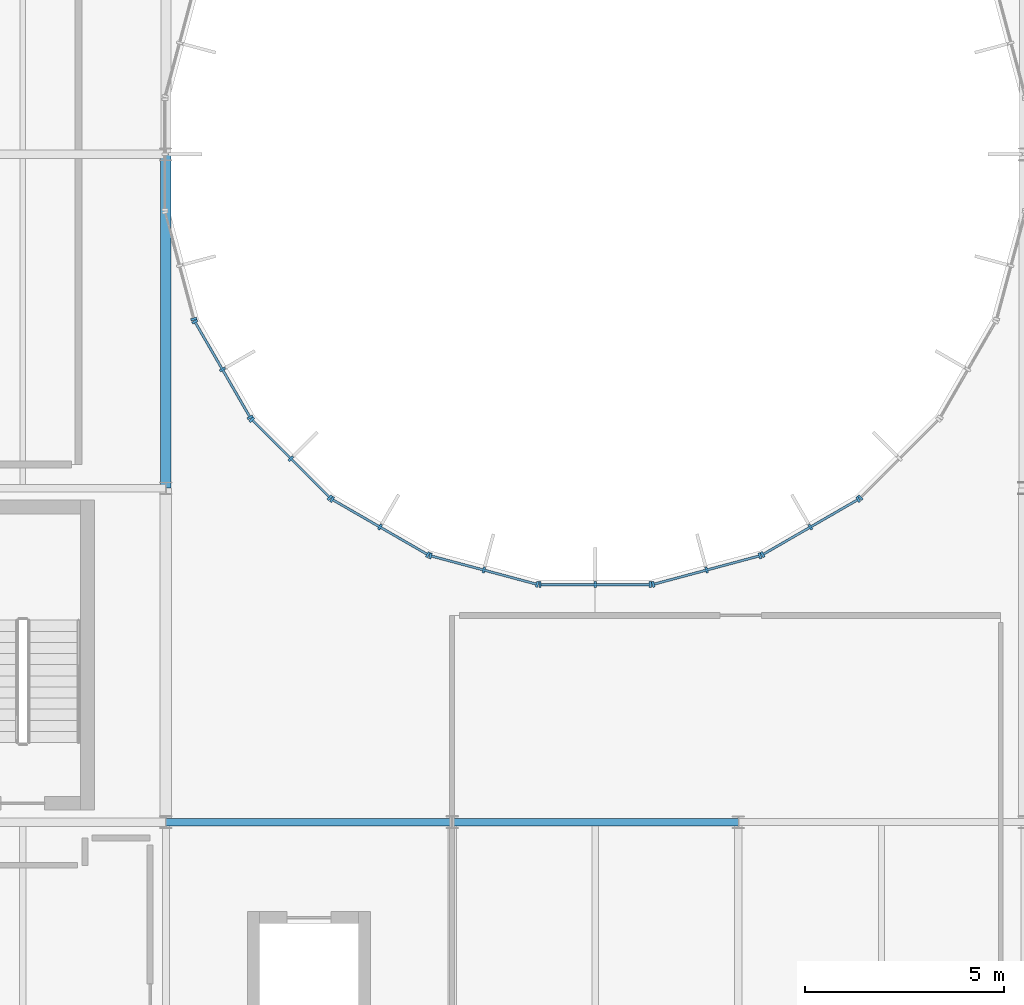
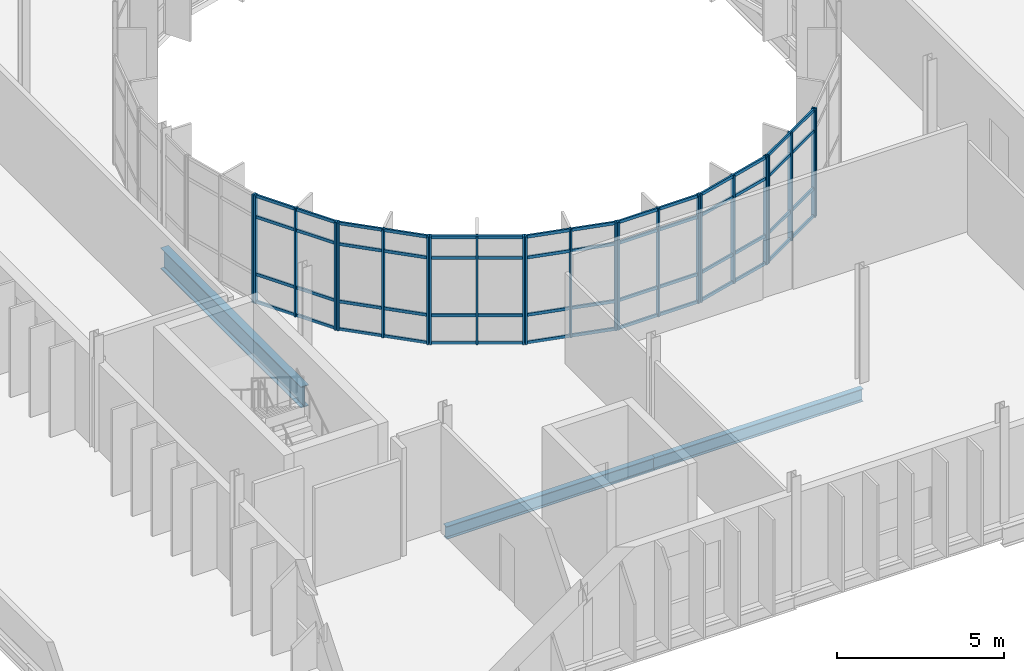
# One storey, part 14 of 52: 51 members, 3 beams, 9 elements without a shape of their own.
"""IFC4 building model written with IfcOpenShell, lengths in metres."""

from ifc_helpers import new_model, si_unit, direction, frame, origin, origin_2d, place, context, subcontext, project, spatial, rectangle, i_section, extrude, material, material_profile, profile_set, type_object, element, aggregate, save


model = new_model("IFC4")

# Units and contexts
model_context = context("Model", 3, precision=1e-05, world=origin(), true_north=direction((0.0, 1.0)))
body_context = subcontext(model_context, "Body", "Model", "MODEL_VIEW")
ifc_project = project(units=[si_unit("LENGTHUNIT", "METRE"), si_unit("AREAUNIT", "SQUARE_METRE"), si_unit("VOLUMEUNIT", "CUBIC_METRE"), si_unit("PLANEANGLEUNIT", "RADIAN"), si_unit("MASSUNIT", "GRAM", prefix="KILO")], contexts=[model_context])

# Site, building, storey
site_placement = place(None, origin())
site = spatial("IfcSite", under=ifc_project, at=site_placement, CompositionType="ELEMENT")
building_placement = place(site_placement, origin())
building = spatial("IfcBuilding", under=site, at=building_placement, Name="Qelthora Terrace Specialist Clinic", CompositionType="ELEMENT")
storey_placement = place(building_placement, frame((0.0, 0.0, 17.39990234375)))
storey = spatial("IfcBuildingStorey", under=building, at=storey_placement, Name="L04", CompositionType="ELEMENT", Elevation=17.39990234375)

# Beams
ifc_material_1 = material(Name="Steel S355", Category="steel")
ifc_material_profile_1 = material_profile(ifc_material_1, i_section(OverallWidth=0.19091796875, OverallDepth=0.4599609375, WebThickness=0.010009765625, FlangeThickness=0.01611328125, FilletRadius=0.012939453125, at=origin_2d()), Name="W460X82")
ifc_profile_set_1 = profile_set([ifc_material_profile_1], Name="Steel S355")
beam_type_1 = type_object("IfcBeamType", Name="BM-W460X82", PredefinedType="BEAM", material=ifc_profile_set_1)
beam_1_placement = place(storey_placement, frame((21.60009765625, 67.199951171875, -0.47998046875), z_axis=(1.0, 0.0, 0.0), x_axis=(0.0, 1.0, 0.0)))
element("IfcBeam", 1, at=beam_1_placement, inside=storey, type_object=beam_type_1, Name="Girder BMX-L04-1156", PredefinedType="BEAM", context=body_context, shape_type="SweptSolid", body=[
    extrude(i_section(OverallWidth=0.19091796875, OverallDepth=0.4599609375, WebThickness=0.010009765625, FlangeThickness=0.01611328125, FilletRadius=0.012939453125, at=origin_2d()), origin(), (0.0, 0.0, 1.0), 7.199951171875),
])
ifc_material_profile_2 = material_profile(ifc_material_1, i_section(OverallWidth=0.193115234375, OverallDepth=0.466064453125, WebThickness=0.011474609375, FlangeThickness=0.01904296875, FilletRadius=0.012939453125, at=origin_2d()), Name="W460X97")
ifc_profile_set_2 = profile_set([ifc_material_profile_2], Name="Steel S355")
beam_type_2 = type_object("IfcBeamType", Name="BM-W460X97", PredefinedType="BEAM", material=ifc_profile_set_2)
beam_2_placement = place(storey_placement, frame((14.39990234375, 67.199951171875, -0.48291015625), z_axis=(1.0, 0.0, 0.0), x_axis=(0.0, 1.0, 0.0)))
element("IfcBeam", 2, at=beam_2_placement, inside=storey, type_object=beam_type_2, Name="Girder BMX-L04-1155", PredefinedType="BEAM", context=body_context, shape_type="SweptSolid", body=[
    extrude(i_section(OverallWidth=0.193115234375, OverallDepth=0.466064453125, WebThickness=0.011474609375, FlangeThickness=0.01904296875, FilletRadius=0.012939453125, at=origin_2d()), origin(), (0.0, 0.0, 1.0), 7.2001953125),
])
ifc_material_profile_3 = material_profile(ifc_material_1, i_section(OverallWidth=0.26806640625, OverallDepth=0.77001953125, WebThickness=0.015625, FlangeThickness=0.025390625, FilletRadius=0.01904296875, at=origin_2d()), Name="W760X196")
ifc_profile_set_3 = profile_set([ifc_material_profile_3], Name="Steel S355")
beam_type_3 = type_object("IfcBeamType", Name="BM-W760X196", PredefinedType="BEAM", material=ifc_profile_set_3)
beam_3_placement = place(storey_placement, frame((14.39990234375, 75.60009765625, -0.635009765625), z_axis=(0.0, 1.0, 0.0), x_axis=(-1.0, 0.0, 0.0)))
element("IfcBeam", 3, at=beam_3_placement, inside=storey, type_object=beam_type_3, Name="Girder BMY-L04-1222", PredefinedType="BEAM", context=body_context, shape_type="SweptSolid", body=[
    extrude(i_section(OverallWidth=0.26806640625, OverallDepth=0.77001953125, WebThickness=0.015625, FlangeThickness=0.025390625, FilletRadius=0.01904296875, at=origin_2d()), origin(), (0.0, 0.0, 1.0), 8.39990234375),
])

# Curtain wall, member
ifc_material_2 = material(Name="Aluminium anodized bronze", Category="aluminium")
curtain_wall_type = type_object("IfcCurtainWallType", Name="CW-CRTW-UPP", PredefinedType="NOTDEFINED", material=ifc_material_2)
curtain_wall_1_placement = place(storey_placement, origin())
curtain_wall_1 = element("IfcCurtainWall", 4, at=curtain_wall_1_placement, inside=storey, type_object=curtain_wall_type, Name="Curtain wall CW-CW-L04-13", PredefinedType="NOTDEFINED")
ifc_material_profile_4 = material_profile(ifc_material_2, rectangle(XDim=0.06005859375, YDim=0.14990234375, at=origin_2d()), Name="CWM60X150")
ifc_profile_set_4 = profile_set([ifc_material_profile_4], Name="Aluminium anodized bronze")
member_type_1 = type_object("IfcMemberType", Name="CWM-60X150", PredefinedType="MULLION", material=ifc_profile_set_4)
member_1_placement = place(storey_placement, frame((15.10107421875, 79.855224609375, 0.0), z_axis=(0.0, 0.0, 1.0), x_axis=(0.258820356987, -0.96592547477, 0.0)))
member_1 = element("IfcMember", 5, at=member_1_placement, type_object=member_type_1, Name="CW-CW-L04-13 mullion 3", PredefinedType="MULLION", context=body_context, shape_type="SweptSolid", body=[
    extrude(rectangle(XDim=0.06005859375, YDim=0.14990234375, at=origin_2d()), origin(), (0.0, 0.0, 1.0), 3.945068359375),
])
aggregate(curtain_wall_1, [member_1])

# Curtain wall, members
curtain_wall_2_placement = place(storey_placement, origin())
curtain_wall_2 = element("IfcCurtainWall", 6, at=curtain_wall_2_placement, inside=storey, type_object=curtain_wall_type, Name="Curtain wall CW-CW-L04-14", PredefinedType="NOTDEFINED")
member_2_placement = place(storey_placement, frame((15.128173828125, 79.789794921875, 0.0), z_axis=(0.0, 0.0, 1.0), x_axis=(0.499999597971, -0.866025635896, 0.0)))
member_2 = element("IfcMember", 7, at=member_2_placement, type_object=member_type_1, Name="CW-CW-L04-14 mullion 1", PredefinedType="MULLION", context=body_context, shape_type="SweptSolid", body=[
    extrude(rectangle(XDim=0.06005859375, YDim=0.14990234375, at=origin_2d()), origin(), (0.0, 0.0, 1.0), 3.945068359375),
])
member_3_placement = place(storey_placement, frame((15.822998046875, 78.586181640625, 0.0), z_axis=(0.0, 0.0, 1.0), x_axis=(0.499999597971, -0.866025635896, 0.0)))
member_3 = element("IfcMember", 8, at=member_3_placement, type_object=member_type_1, Name="CW-CW-L04-14 mullion 2", PredefinedType="MULLION", context=body_context, shape_type="SweptSolid", body=[
    extrude(rectangle(XDim=0.06005859375, YDim=0.14990234375, at=origin_2d()), origin(), (0.0, 0.0, 1.0), 3.945068359375),
])
member_4_placement = place(storey_placement, frame((16.517822265625, 77.3828125, 0.0), z_axis=(0.0, 0.0, 1.0), x_axis=(0.499999597971, -0.866025635896, 0.0)))
member_4 = element("IfcMember", 9, at=member_4_placement, type_object=member_type_1, Name="CW-CW-L04-14 mullion 3", PredefinedType="MULLION", context=body_context, shape_type="SweptSolid", body=[
    extrude(rectangle(XDim=0.06005859375, YDim=0.14990234375, at=origin_2d()), origin(), (0.0, 0.0, 1.0), 3.945068359375),
])

curtain_wall_3_placement = place(storey_placement, origin())
curtain_wall_3 = element("IfcCurtainWall", 10, at=curtain_wall_3_placement, inside=storey, type_object=curtain_wall_type, Name="Curtain wall CW-CW-L04-15", PredefinedType="NOTDEFINED")
member_5_placement = place(storey_placement, frame((16.56103515625, 77.326416015625, 0.0), z_axis=(0.0, 0.0, 1.0), x_axis=(0.707106781187, -0.707106781187, 0.0)))
member_5 = element("IfcMember", 11, at=member_5_placement, type_object=member_type_1, Name="CW-CW-L04-15 mullion 1", PredefinedType="MULLION", context=body_context, shape_type="SweptSolid", body=[
    extrude(rectangle(XDim=0.06005859375, YDim=0.14990234375, at=origin_2d()), origin(), (0.0, 0.0, 1.0), 3.945068359375),
])
member_6_placement = place(storey_placement, frame((17.543701171875, 76.34375, 0.0), z_axis=(0.0, 0.0, 1.0), x_axis=(0.707106781187, -0.707106781187, 0.0)))
member_6 = element("IfcMember", 12, at=member_6_placement, type_object=member_type_1, Name="CW-CW-L04-15 mullion 2", PredefinedType="MULLION", context=body_context, shape_type="SweptSolid", body=[
    extrude(rectangle(XDim=0.06005859375, YDim=0.14990234375, at=origin_2d()), origin(), (0.0, 0.0, 1.0), 3.945068359375),
])
member_7_placement = place(storey_placement, frame((18.5263671875, 75.361083984375, 0.0), z_axis=(0.0, 0.0, 1.0), x_axis=(0.707106781187, -0.707106781187, 0.0)))
member_7 = element("IfcMember", 13, at=member_7_placement, type_object=member_type_1, Name="CW-CW-L04-15 mullion 3", PredefinedType="MULLION", context=body_context, shape_type="SweptSolid", body=[
    extrude(rectangle(XDim=0.06005859375, YDim=0.14990234375, at=origin_2d()), origin(), (0.0, 0.0, 1.0), 3.945068359375),
])

curtain_wall_4_placement = place(storey_placement, origin())
curtain_wall_4 = element("IfcCurtainWall", 14, at=curtain_wall_4_placement, inside=storey, type_object=curtain_wall_type, Name="Curtain wall CW-CW-L04-16", PredefinedType="NOTDEFINED")
member_8_placement = place(storey_placement, frame((18.582763671875, 75.31787109375, 0.0), z_axis=(0.0, 0.0, 1.0), x_axis=(0.866025635896, -0.499999597971, 0.0)))
member_8 = element("IfcMember", 15, at=member_8_placement, type_object=member_type_1, Name="CW-CW-L04-16 mullion 1", PredefinedType="MULLION", context=body_context, shape_type="SweptSolid", body=[
    extrude(rectangle(XDim=0.06005859375, YDim=0.14990234375, at=origin_2d()), origin(), (0.0, 0.0, 1.0), 3.945068359375),
])
member_9_placement = place(storey_placement, frame((19.7861328125, 74.623046875, 0.0), z_axis=(0.0, 0.0, 1.0), x_axis=(0.866025635896, -0.499999597971, 0.0)))
member_9 = element("IfcMember", 16, at=member_9_placement, type_object=member_type_1, Name="CW-CW-L04-16 mullion 2", PredefinedType="MULLION", context=body_context, shape_type="SweptSolid", body=[
    extrude(rectangle(XDim=0.06005859375, YDim=0.14990234375, at=origin_2d()), origin(), (0.0, 0.0, 1.0), 3.945068359375),
])
member_10_placement = place(storey_placement, frame((20.98974609375, 73.92822265625, 0.0), z_axis=(0.0, 0.0, 1.0), x_axis=(0.866025635896, -0.499999597971, 0.0)))
member_10 = element("IfcMember", 17, at=member_10_placement, type_object=member_type_1, Name="CW-CW-L04-16 mullion 3", PredefinedType="MULLION", context=body_context, shape_type="SweptSolid", body=[
    extrude(rectangle(XDim=0.06005859375, YDim=0.14990234375, at=origin_2d()), origin(), (0.0, 0.0, 1.0), 3.945068359375),
])

curtain_wall_5_placement = place(storey_placement, origin())
curtain_wall_5 = element("IfcCurtainWall", 18, at=curtain_wall_5_placement, inside=storey, type_object=curtain_wall_type, Name="Curtain wall CW-CW-L04-17", PredefinedType="NOTDEFINED")
member_11_placement = place(storey_placement, frame((21.05517578125, 73.901123046875, 0.0), z_axis=(0.0, 0.0, 1.0), x_axis=(0.96592547477, -0.258820356987, 0.0)))
member_11 = element("IfcMember", 19, at=member_11_placement, type_object=member_type_1, Name="CW-CW-L04-17 mullion 1", PredefinedType="MULLION", context=body_context, shape_type="SweptSolid", body=[
    extrude(rectangle(XDim=0.06005859375, YDim=0.14990234375, at=origin_2d()), origin(), (0.0, 0.0, 1.0), 3.945068359375),
])
member_12_placement = place(storey_placement, frame((22.397705078125, 73.541259765625, 0.0), z_axis=(0.0, 0.0, 1.0), x_axis=(0.96592547477, -0.258820356987, 0.0)))
member_12 = element("IfcMember", 20, at=member_12_placement, type_object=member_type_1, Name="CW-CW-L04-17 mullion 2", PredefinedType="MULLION", context=body_context, shape_type="SweptSolid", body=[
    extrude(rectangle(XDim=0.06005859375, YDim=0.14990234375, at=origin_2d()), origin(), (0.0, 0.0, 1.0), 3.945068359375),
])
member_13_placement = place(storey_placement, frame((23.739990234375, 73.181640625, 0.0), z_axis=(0.0, 0.0, 1.0), x_axis=(0.96592547477, -0.258820356987, 0.0)))
member_13 = element("IfcMember", 21, at=member_13_placement, type_object=member_type_1, Name="CW-CW-L04-17 mullion 3", PredefinedType="MULLION", context=body_context, shape_type="SweptSolid", body=[
    extrude(rectangle(XDim=0.06005859375, YDim=0.14990234375, at=origin_2d()), origin(), (0.0, 0.0, 1.0), 3.945068359375),
])

curtain_wall_6_placement = place(storey_placement, origin())
curtain_wall_6 = element("IfcCurtainWall", 22, at=curtain_wall_6_placement, inside=storey, type_object=curtain_wall_type, Name="Curtain wall CW-CW-L04-18", PredefinedType="NOTDEFINED")
member_14_placement = place(storey_placement, frame((23.810302734375, 73.17236328125, 0.0), z_axis=(0.0, 0.0, 1.0), x_axis=(1.0, 0.0, 0.0)))
member_14 = element("IfcMember", 23, at=member_14_placement, type_object=member_type_1, Name="CW-CW-L04-18 mullion 1", PredefinedType="MULLION", context=body_context, shape_type="SweptSolid", body=[
    extrude(rectangle(XDim=0.06005859375, YDim=0.14990234375, at=origin_2d()), origin(), (0.0, 0.0, 1.0), 3.945068359375),
])
member_15_placement = place(storey_placement, frame((25.199951171875, 73.17236328125, 0.0), z_axis=(0.0, 0.0, 1.0), x_axis=(1.0, 0.0, 0.0)))
member_15 = element("IfcMember", 24, at=member_15_placement, type_object=member_type_1, Name="CW-CW-L04-18 mullion 2", PredefinedType="MULLION", context=body_context, shape_type="SweptSolid", body=[
    extrude(rectangle(XDim=0.06005859375, YDim=0.14990234375, at=origin_2d()), origin(), (0.0, 0.0, 1.0), 3.945068359375),
])
member_16_placement = place(storey_placement, frame((26.589599609375, 73.17236328125, 0.0), z_axis=(0.0, 0.0, 1.0), x_axis=(1.0, 0.0, 0.0)))
member_16 = element("IfcMember", 25, at=member_16_placement, type_object=member_type_1, Name="CW-CW-L04-18 mullion 3", PredefinedType="MULLION", context=body_context, shape_type="SweptSolid", body=[
    extrude(rectangle(XDim=0.06005859375, YDim=0.14990234375, at=origin_2d()), origin(), (0.0, 0.0, 1.0), 3.945068359375),
])

curtain_wall_7_placement = place(storey_placement, origin())
curtain_wall_7 = element("IfcCurtainWall", 26, at=curtain_wall_7_placement, inside=storey, type_object=curtain_wall_type, Name="Curtain wall CW-CW-L04-19", PredefinedType="NOTDEFINED")
member_17_placement = place(storey_placement, frame((26.66015625, 73.181640625, 0.0), z_axis=(0.0, 0.0, 1.0), x_axis=(0.96592547477, 0.258820356987, 0.0)))
member_17 = element("IfcMember", 27, at=member_17_placement, type_object=member_type_1, Name="CW-CW-L04-19 mullion 1", PredefinedType="MULLION", context=body_context, shape_type="SweptSolid", body=[
    extrude(rectangle(XDim=0.06005859375, YDim=0.14990234375, at=origin_2d()), origin(), (0.0, 0.0, 1.0), 3.945068359375),
])
member_18_placement = place(storey_placement, frame((28.00244140625, 73.541259765625, 0.0), z_axis=(0.0, 0.0, 1.0), x_axis=(0.96592547477, 0.258820356987, 0.0)))
member_18 = element("IfcMember", 28, at=member_18_placement, type_object=member_type_1, Name="CW-CW-L04-19 mullion 2", PredefinedType="MULLION", context=body_context, shape_type="SweptSolid", body=[
    extrude(rectangle(XDim=0.06005859375, YDim=0.14990234375, at=origin_2d()), origin(), (0.0, 0.0, 1.0), 3.945068359375),
])
member_19_placement = place(storey_placement, frame((29.3447265625, 73.901123046875, 0.0), z_axis=(0.0, 0.0, 1.0), x_axis=(0.96592547477, 0.258820356987, 0.0)))
member_19 = element("IfcMember", 29, at=member_19_placement, type_object=member_type_1, Name="CW-CW-L04-19 mullion 3", PredefinedType="MULLION", context=body_context, shape_type="SweptSolid", body=[
    extrude(rectangle(XDim=0.06005859375, YDim=0.14990234375, at=origin_2d()), origin(), (0.0, 0.0, 1.0), 3.945068359375),
])

curtain_wall_8_placement = place(storey_placement, origin())
curtain_wall_8 = element("IfcCurtainWall", 30, at=curtain_wall_8_placement, inside=storey, type_object=curtain_wall_type, Name="Curtain wall CW-CW-L04-20", PredefinedType="NOTDEFINED")
member_20_placement = place(storey_placement, frame((29.410400390625, 73.92822265625, 0.0), z_axis=(0.0, 0.0, 1.0), x_axis=(0.866025635896, 0.499999597971, 0.0)))
member_20 = element("IfcMember", 31, at=member_20_placement, type_object=member_type_1, Name="CW-CW-L04-20 mullion 1", PredefinedType="MULLION", context=body_context, shape_type="SweptSolid", body=[
    extrude(rectangle(XDim=0.06005859375, YDim=0.14990234375, at=origin_2d()), origin(), (0.0, 0.0, 1.0), 3.945068359375),
])
member_21_placement = place(storey_placement, frame((30.61376953125, 74.623046875, 0.0), z_axis=(0.0, 0.0, 1.0), x_axis=(0.866025635896, 0.499999597971, 0.0)))
member_21 = element("IfcMember", 32, at=member_21_placement, type_object=member_type_1, Name="CW-CW-L04-20 mullion 2", PredefinedType="MULLION", context=body_context, shape_type="SweptSolid", body=[
    extrude(rectangle(XDim=0.06005859375, YDim=0.14990234375, at=origin_2d()), origin(), (0.0, 0.0, 1.0), 3.945068359375),
])
member_22_placement = place(storey_placement, frame((31.8173828125, 75.31787109375, 0.0), z_axis=(0.0, 0.0, 1.0), x_axis=(0.866025635896, 0.499999597971, 0.0)))
member_22 = element("IfcMember", 33, at=member_22_placement, type_object=member_type_1, Name="CW-CW-L04-20 mullion 3", PredefinedType="MULLION", context=body_context, shape_type="SweptSolid", body=[
    extrude(rectangle(XDim=0.06005859375, YDim=0.14990234375, at=origin_2d()), origin(), (0.0, 0.0, 1.0), 3.945068359375),
])

# Curtain wall, member
curtain_wall_9_placement = place(storey_placement, origin())
curtain_wall_9 = element("IfcCurtainWall", 34, at=curtain_wall_9_placement, inside=storey, type_object=curtain_wall_type, Name="Curtain wall CW-CW-L04-21", PredefinedType="NOTDEFINED")
member_23_placement = place(storey_placement, frame((31.87353515625, 75.361083984375, 0.0), z_axis=(0.0, 0.0, 1.0), x_axis=(0.707106781187, 0.707106781187, 0.0)))
member_23 = element("IfcMember", 35, at=member_23_placement, type_object=member_type_1, Name="CW-CW-L04-21 mullion 1", PredefinedType="MULLION", context=body_context, shape_type="SweptSolid", body=[
    extrude(rectangle(XDim=0.06005859375, YDim=0.14990234375, at=origin_2d()), origin(), (0.0, 0.0, 1.0), 3.945068359375),
])
aggregate(curtain_wall_9, [member_23])

# Member
ifc_material_profile_5 = material_profile(ifc_material_2, rectangle(XDim=0.06005859375, YDim=0.110107421875, at=origin_2d()), Name="CWT60X110")
ifc_profile_set_5 = profile_set([ifc_material_profile_5], Name="Aluminium anodized bronze")
member_type_2 = type_object("IfcMemberType", Name="CWT-60X110", PredefinedType="USERDEFINED", material=ifc_profile_set_5)
member_24_placement = place(storey_placement, frame((15.13818359375, 79.7724609375, 0.0400390625), z_axis=(0.499953886166, -0.866052025982, 0.0), x_axis=(0.866052025982, 0.499953886166, 0.0)))
member_24 = element("IfcMember", 36, at=member_24_placement, type_object=member_type_2, Name="CW-CW-L04-14 transom 1", ObjectType="TRANSOM", PredefinedType="USERDEFINED", context=body_context, shape_type="SweptSolid", body=[
    extrude(rectangle(XDim=0.06005859375, YDim=0.110107421875, at=origin_2d()), origin(), (0.0, 0.0, 1.0), 2.739501953125),
])

member_25_placement = place(storey_placement, frame((15.13818359375, 79.7724609375, 1.050048828125), z_axis=(0.499953886166, -0.866052025982, 0.0), x_axis=(0.866052025982, 0.499953886166, 0.0)))
member_25 = element("IfcMember", 37, at=member_25_placement, type_object=member_type_2, Name="CW-CW-L04-14 transom 2", ObjectType="TRANSOM", PredefinedType="USERDEFINED", context=body_context, shape_type="SweptSolid", body=[
    extrude(rectangle(XDim=0.06005859375, YDim=0.110107421875, at=origin_2d()), origin(), (0.0, 0.0, 1.0), 2.739501953125),
])

member_26_placement = place(storey_placement, frame((15.13818359375, 79.7724609375, 3.14501953125), z_axis=(0.499953886166, -0.866052025982, 0.0), x_axis=(0.866052025982, 0.499953886166, 0.0)))
member_26 = element("IfcMember", 38, at=member_26_placement, type_object=member_type_2, Name="CW-CW-L04-14 transom 3", ObjectType="TRANSOM", PredefinedType="USERDEFINED", context=body_context, shape_type="SweptSolid", body=[
    extrude(rectangle(XDim=0.06005859375, YDim=0.110107421875, at=origin_2d()), origin(), (0.0, 0.0, 1.0), 2.739501953125),
])

member_27_placement = place(storey_placement, frame((15.13818359375, 79.7724609375, 3.905029296875), z_axis=(0.499953886166, -0.866052025982, 0.0), x_axis=(0.866052025982, 0.499953886166, 0.0)))
member_27 = element("IfcMember", 39, at=member_27_placement, type_object=member_type_2, Name="CW-CW-L04-14 transom 4", ObjectType="TRANSOM", PredefinedType="USERDEFINED", context=body_context, shape_type="SweptSolid", body=[
    extrude(rectangle(XDim=0.06005859375, YDim=0.110107421875, at=origin_2d()), origin(), (0.0, 0.0, 1.0), 2.739501953125),
])

aggregate(curtain_wall_2, [member_2, member_3, member_4, member_24, member_25, member_26, member_27])

member_28_placement = place(storey_placement, frame((16.5751953125, 77.312255859375, 0.0400390625), z_axis=(0.707106781187, -0.707106781187, 0.0), x_axis=(0.707106781187, 0.707106781187, 0.0)))
member_28 = element("IfcMember", 40, at=member_28_placement, type_object=member_type_2, Name="CW-CW-L04-15 transom 1", ObjectType="TRANSOM", PredefinedType="USERDEFINED", context=body_context, shape_type="SweptSolid", body=[
    extrude(rectangle(XDim=0.06005859375, YDim=0.110107421875, at=origin_2d()), origin(), (0.0, 0.0, 1.0), 2.7392578125),
])

member_29_placement = place(storey_placement, frame((16.5751953125, 77.312255859375, 1.050048828125), z_axis=(0.707106781187, -0.707106781187, 0.0), x_axis=(0.707106781187, 0.707106781187, 0.0)))
member_29 = element("IfcMember", 41, at=member_29_placement, type_object=member_type_2, Name="CW-CW-L04-15 transom 2", ObjectType="TRANSOM", PredefinedType="USERDEFINED", context=body_context, shape_type="SweptSolid", body=[
    extrude(rectangle(XDim=0.06005859375, YDim=0.110107421875, at=origin_2d()), origin(), (0.0, 0.0, 1.0), 2.7392578125),
])

member_30_placement = place(storey_placement, frame((16.5751953125, 77.312255859375, 3.14501953125), z_axis=(0.707106781187, -0.707106781187, 0.0), x_axis=(0.707106781187, 0.707106781187, 0.0)))
member_30 = element("IfcMember", 42, at=member_30_placement, type_object=member_type_2, Name="CW-CW-L04-15 transom 3", ObjectType="TRANSOM", PredefinedType="USERDEFINED", context=body_context, shape_type="SweptSolid", body=[
    extrude(rectangle(XDim=0.06005859375, YDim=0.110107421875, at=origin_2d()), origin(), (0.0, 0.0, 1.0), 2.7392578125),
])

member_31_placement = place(storey_placement, frame((16.5751953125, 77.312255859375, 3.905029296875), z_axis=(0.707106781187, -0.707106781187, 0.0), x_axis=(0.707106781187, 0.707106781187, 0.0)))
member_31 = element("IfcMember", 43, at=member_31_placement, type_object=member_type_2, Name="CW-CW-L04-15 transom 4", ObjectType="TRANSOM", PredefinedType="USERDEFINED", context=body_context, shape_type="SweptSolid", body=[
    extrude(rectangle(XDim=0.06005859375, YDim=0.110107421875, at=origin_2d()), origin(), (0.0, 0.0, 1.0), 2.7392578125),
])

aggregate(curtain_wall_3, [member_5, member_6, member_7, member_28, member_29, member_30, member_31])

member_32_placement = place(storey_placement, frame((18.60009765625, 75.307861328125, 0.0400390625), z_axis=(0.866029747927, -0.499992475648, 0.0), x_axis=(0.499992475648, 0.866029747927, 0.0)))
member_32 = element("IfcMember", 44, at=member_32_placement, type_object=member_type_2, Name="CW-CW-L04-16 transom 1", ObjectType="TRANSOM", PredefinedType="USERDEFINED", context=body_context, shape_type="SweptSolid", body=[
    extrude(rectangle(XDim=0.06005859375, YDim=0.110107421875, at=origin_2d()), origin(), (0.0, 0.0, 1.0), 2.7392578125),
])

member_33_placement = place(storey_placement, frame((18.60009765625, 75.307861328125, 1.050048828125), z_axis=(0.866029747927, -0.499992475648, 0.0), x_axis=(0.499992475648, 0.866029747927, 0.0)))
member_33 = element("IfcMember", 45, at=member_33_placement, type_object=member_type_2, Name="CW-CW-L04-16 transom 2", ObjectType="TRANSOM", PredefinedType="USERDEFINED", context=body_context, shape_type="SweptSolid", body=[
    extrude(rectangle(XDim=0.06005859375, YDim=0.110107421875, at=origin_2d()), origin(), (0.0, 0.0, 1.0), 2.7392578125),
])

member_34_placement = place(storey_placement, frame((18.60009765625, 75.307861328125, 3.14501953125), z_axis=(0.866029747927, -0.499992475648, 0.0), x_axis=(0.499992475648, 0.866029747927, 0.0)))
member_34 = element("IfcMember", 46, at=member_34_placement, type_object=member_type_2, Name="CW-CW-L04-16 transom 3", ObjectType="TRANSOM", PredefinedType="USERDEFINED", context=body_context, shape_type="SweptSolid", body=[
    extrude(rectangle(XDim=0.06005859375, YDim=0.110107421875, at=origin_2d()), origin(), (0.0, 0.0, 1.0), 2.7392578125),
])

member_35_placement = place(storey_placement, frame((18.60009765625, 75.307861328125, 3.905029296875), z_axis=(0.866029747927, -0.499992475648, 0.0), x_axis=(0.499992475648, 0.866029747927, 0.0)))
member_35 = element("IfcMember", 47, at=member_35_placement, type_object=member_type_2, Name="CW-CW-L04-16 transom 4", ObjectType="TRANSOM", PredefinedType="USERDEFINED", context=body_context, shape_type="SweptSolid", body=[
    extrude(rectangle(XDim=0.06005859375, YDim=0.110107421875, at=origin_2d()), origin(), (0.0, 0.0, 1.0), 2.7392578125),
])

aggregate(curtain_wall_4, [member_8, member_9, member_10, member_32, member_33, member_34, member_35])

member_36_placement = place(storey_placement, frame((21.07470703125, 73.895751953125, 0.0400390625), z_axis=(0.965926569303, -0.258816272122, 0.0), x_axis=(0.258816272122, 0.965926569303, 0.0)))
member_36 = element("IfcMember", 48, at=member_36_placement, type_object=member_type_2, Name="CW-CW-L04-17 transom 1", ObjectType="TRANSOM", PredefinedType="USERDEFINED", context=body_context, shape_type="SweptSolid", body=[
    extrude(rectangle(XDim=0.06005859375, YDim=0.110107421875, at=origin_2d()), origin(), (0.0, 0.0, 1.0), 2.7392578125),
])

member_37_placement = place(storey_placement, frame((21.07470703125, 73.895751953125, 1.050048828125), z_axis=(0.965926569303, -0.258816272122, 0.0), x_axis=(0.258816272122, 0.965926569303, 0.0)))
member_37 = element("IfcMember", 49, at=member_37_placement, type_object=member_type_2, Name="CW-CW-L04-17 transom 2", ObjectType="TRANSOM", PredefinedType="USERDEFINED", context=body_context, shape_type="SweptSolid", body=[
    extrude(rectangle(XDim=0.06005859375, YDim=0.110107421875, at=origin_2d()), origin(), (0.0, 0.0, 1.0), 2.7392578125),
])

member_38_placement = place(storey_placement, frame((21.07470703125, 73.895751953125, 3.14501953125), z_axis=(0.965926569303, -0.258816272122, 0.0), x_axis=(0.258816272122, 0.965926569303, 0.0)))
member_38 = element("IfcMember", 50, at=member_38_placement, type_object=member_type_2, Name="CW-CW-L04-17 transom 3", ObjectType="TRANSOM", PredefinedType="USERDEFINED", context=body_context, shape_type="SweptSolid", body=[
    extrude(rectangle(XDim=0.06005859375, YDim=0.110107421875, at=origin_2d()), origin(), (0.0, 0.0, 1.0), 2.7392578125),
])

member_39_placement = place(storey_placement, frame((21.07470703125, 73.895751953125, 3.905029296875), z_axis=(0.965926569303, -0.258816272122, 0.0), x_axis=(0.258816272122, 0.965926569303, 0.0)))
member_39 = element("IfcMember", 51, at=member_39_placement, type_object=member_type_2, Name="CW-CW-L04-17 transom 4", ObjectType="TRANSOM", PredefinedType="USERDEFINED", context=body_context, shape_type="SweptSolid", body=[
    extrude(rectangle(XDim=0.06005859375, YDim=0.110107421875, at=origin_2d()), origin(), (0.0, 0.0, 1.0), 2.7392578125),
])

aggregate(curtain_wall_5, [member_11, member_12, member_13, member_36, member_37, member_38, member_39])

member_40_placement = place(storey_placement, frame((23.830322265625, 73.17236328125, 0.0400390625), z_axis=(1.0, 0.0, 0.0), x_axis=(0.0, 1.0, 0.0)))
member_40 = element("IfcMember", 52, at=member_40_placement, type_object=member_type_2, Name="CW-CW-L04-18 transom 1", ObjectType="TRANSOM", PredefinedType="USERDEFINED", context=body_context, shape_type="SweptSolid", body=[
    extrude(rectangle(XDim=0.06005859375, YDim=0.110107421875, at=origin_2d()), origin(), (0.0, 0.0, 1.0), 2.7392578125),
])

member_41_placement = place(storey_placement, frame((23.830322265625, 73.17236328125, 1.050048828125), z_axis=(1.0, 0.0, 0.0), x_axis=(0.0, 1.0, 0.0)))
member_41 = element("IfcMember", 53, at=member_41_placement, type_object=member_type_2, Name="CW-CW-L04-18 transom 2", ObjectType="TRANSOM", PredefinedType="USERDEFINED", context=body_context, shape_type="SweptSolid", body=[
    extrude(rectangle(XDim=0.06005859375, YDim=0.110107421875, at=origin_2d()), origin(), (0.0, 0.0, 1.0), 2.7392578125),
])

member_42_placement = place(storey_placement, frame((23.830322265625, 73.17236328125, 3.14501953125), z_axis=(1.0, 0.0, 0.0), x_axis=(0.0, 1.0, 0.0)))
member_42 = element("IfcMember", 54, at=member_42_placement, type_object=member_type_2, Name="CW-CW-L04-18 transom 3", ObjectType="TRANSOM", PredefinedType="USERDEFINED", context=body_context, shape_type="SweptSolid", body=[
    extrude(rectangle(XDim=0.06005859375, YDim=0.110107421875, at=origin_2d()), origin(), (0.0, 0.0, 1.0), 2.7392578125),
])

member_43_placement = place(storey_placement, frame((23.830322265625, 73.17236328125, 3.905029296875), z_axis=(1.0, 0.0, 0.0), x_axis=(0.0, 1.0, 0.0)))
member_43 = element("IfcMember", 55, at=member_43_placement, type_object=member_type_2, Name="CW-CW-L04-18 transom 4", ObjectType="TRANSOM", PredefinedType="USERDEFINED", context=body_context, shape_type="SweptSolid", body=[
    extrude(rectangle(XDim=0.06005859375, YDim=0.110107421875, at=origin_2d()), origin(), (0.0, 0.0, 1.0), 2.7392578125),
])

aggregate(curtain_wall_6, [member_14, member_15, member_16, member_40, member_41, member_42, member_43])

member_44_placement = place(storey_placement, frame((26.679443359375, 73.186767578125, 0.0400390625), z_axis=(0.965926569303, 0.258816272122, 0.0), x_axis=(-0.258816272122, 0.965926569303, 0.0)))
member_44 = element("IfcMember", 56, at=member_44_placement, type_object=member_type_2, Name="CW-CW-L04-19 transom 1", ObjectType="TRANSOM", PredefinedType="USERDEFINED", context=body_context, shape_type="SweptSolid", body=[
    extrude(rectangle(XDim=0.06005859375, YDim=0.110107421875, at=origin_2d()), origin(), (0.0, 0.0, 1.0), 2.7392578125),
])

member_45_placement = place(storey_placement, frame((26.679443359375, 73.186767578125, 1.050048828125), z_axis=(0.965926569303, 0.258816272122, 0.0), x_axis=(-0.258816272122, 0.965926569303, 0.0)))
member_45 = element("IfcMember", 57, at=member_45_placement, type_object=member_type_2, Name="CW-CW-L04-19 transom 2", ObjectType="TRANSOM", PredefinedType="USERDEFINED", context=body_context, shape_type="SweptSolid", body=[
    extrude(rectangle(XDim=0.06005859375, YDim=0.110107421875, at=origin_2d()), origin(), (0.0, 0.0, 1.0), 2.7392578125),
])

member_46_placement = place(storey_placement, frame((26.679443359375, 73.186767578125, 3.14501953125), z_axis=(0.965926569303, 0.258816272122, 0.0), x_axis=(-0.258816272122, 0.965926569303, 0.0)))
member_46 = element("IfcMember", 58, at=member_46_placement, type_object=member_type_2, Name="CW-CW-L04-19 transom 3", ObjectType="TRANSOM", PredefinedType="USERDEFINED", context=body_context, shape_type="SweptSolid", body=[
    extrude(rectangle(XDim=0.06005859375, YDim=0.110107421875, at=origin_2d()), origin(), (0.0, 0.0, 1.0), 2.7392578125),
])

member_47_placement = place(storey_placement, frame((26.679443359375, 73.186767578125, 3.905029296875), z_axis=(0.965926569303, 0.258816272122, 0.0), x_axis=(-0.258816272122, 0.965926569303, 0.0)))
member_47 = element("IfcMember", 59, at=member_47_placement, type_object=member_type_2, Name="CW-CW-L04-19 transom 4", ObjectType="TRANSOM", PredefinedType="USERDEFINED", context=body_context, shape_type="SweptSolid", body=[
    extrude(rectangle(XDim=0.06005859375, YDim=0.110107421875, at=origin_2d()), origin(), (0.0, 0.0, 1.0), 2.7392578125),
])

aggregate(curtain_wall_7, [member_17, member_18, member_19, member_44, member_45, member_46, member_47])

member_48_placement = place(storey_placement, frame((29.427734375, 73.938232421875, 0.0400390625), z_axis=(0.866029747927, 0.499992475648, 0.0), x_axis=(-0.499992475648, 0.866029747927, 0.0)))
member_48 = element("IfcMember", 60, at=member_48_placement, type_object=member_type_2, Name="CW-CW-L04-20 transom 1", ObjectType="TRANSOM", PredefinedType="USERDEFINED", context=body_context, shape_type="SweptSolid", body=[
    extrude(rectangle(XDim=0.06005859375, YDim=0.110107421875, at=origin_2d()), origin(), (0.0, 0.0, 1.0), 2.7392578125),
])

member_49_placement = place(storey_placement, frame((29.427734375, 73.938232421875, 1.050048828125), z_axis=(0.866029747927, 0.499992475648, 0.0), x_axis=(-0.499992475648, 0.866029747927, 0.0)))
member_49 = element("IfcMember", 61, at=member_49_placement, type_object=member_type_2, Name="CW-CW-L04-20 transom 2", ObjectType="TRANSOM", PredefinedType="USERDEFINED", context=body_context, shape_type="SweptSolid", body=[
    extrude(rectangle(XDim=0.06005859375, YDim=0.110107421875, at=origin_2d()), origin(), (0.0, 0.0, 1.0), 2.7392578125),
])

member_50_placement = place(storey_placement, frame((29.427734375, 73.938232421875, 3.14501953125), z_axis=(0.866029747927, 0.499992475648, 0.0), x_axis=(-0.499992475648, 0.866029747927, 0.0)))
member_50 = element("IfcMember", 62, at=member_50_placement, type_object=member_type_2, Name="CW-CW-L04-20 transom 3", ObjectType="TRANSOM", PredefinedType="USERDEFINED", context=body_context, shape_type="SweptSolid", body=[
    extrude(rectangle(XDim=0.06005859375, YDim=0.110107421875, at=origin_2d()), origin(), (0.0, 0.0, 1.0), 2.7392578125),
])

member_51_placement = place(storey_placement, frame((29.427734375, 73.938232421875, 3.905029296875), z_axis=(0.866029747927, 0.499992475648, 0.0), x_axis=(-0.499992475648, 0.866029747927, 0.0)))
member_51 = element("IfcMember", 63, at=member_51_placement, type_object=member_type_2, Name="CW-CW-L04-20 transom 4", ObjectType="TRANSOM", PredefinedType="USERDEFINED", context=body_context, shape_type="SweptSolid", body=[
    extrude(rectangle(XDim=0.06005859375, YDim=0.110107421875, at=origin_2d()), origin(), (0.0, 0.0, 1.0), 2.7392578125),
])

aggregate(curtain_wall_8, [member_20, member_21, member_22, member_48, member_49, member_50, member_51])

save(model, "model.ifc")
